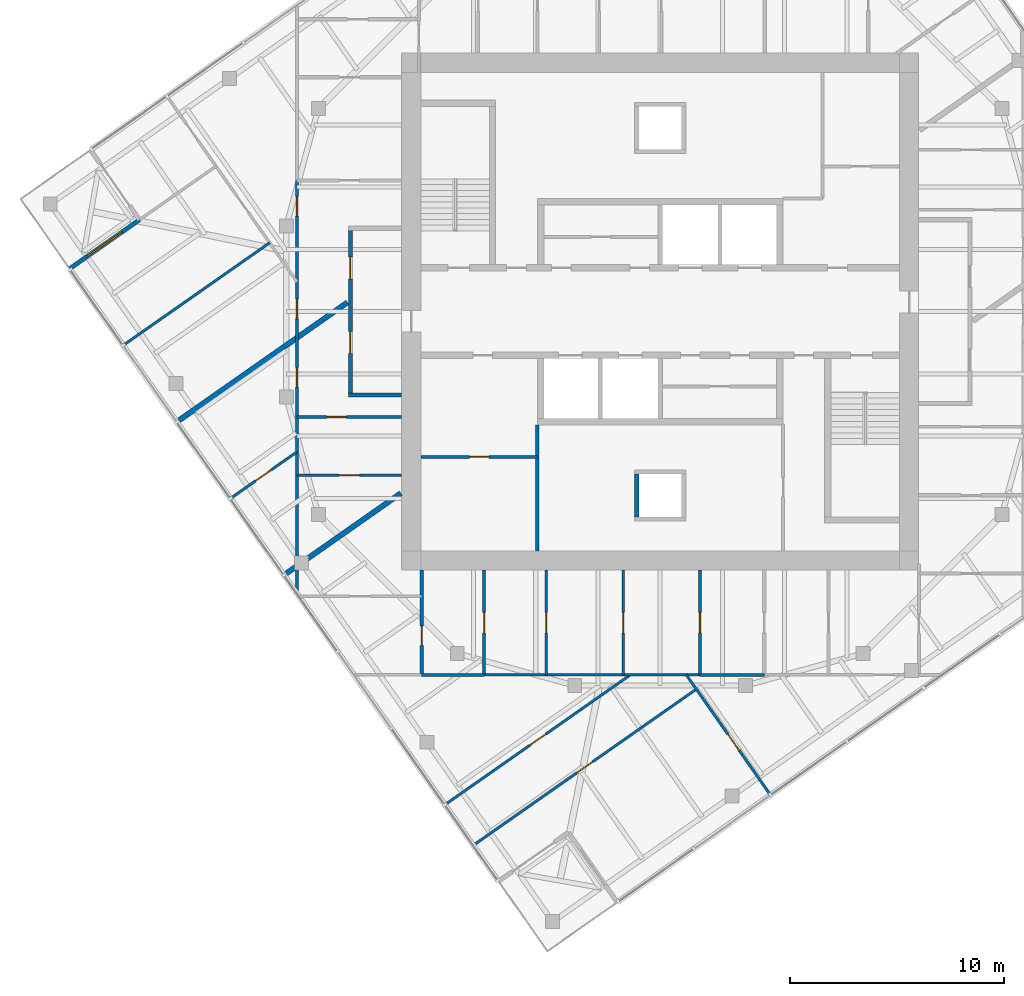
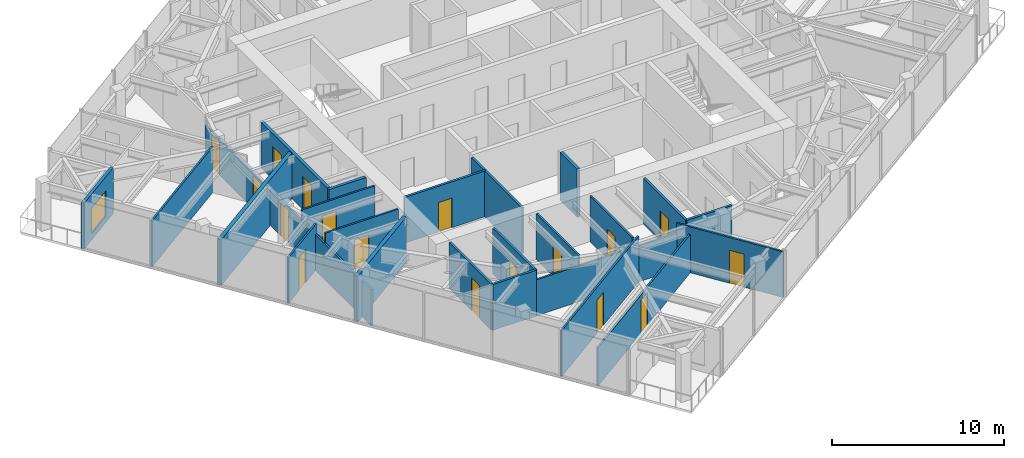
# One storey, part 7 of 12: 24 walls, 17 doors, 1 window, 18 openings.
"""IFC4 building model written with IfcOpenShell, lengths in metres."""

from ifc_helpers import new_model, si_unit, direction, frame, frame_2d, origin, place, context, subcontext, project, spatial, rectangle, extrude, material, layer, layer_set, type_object, element, fill, save


model = new_model("IFC4")

# Units and contexts
model_context = context("Model", 3, precision=1e-05, world=origin(), true_north=direction((0.0, 1.0)))
body_context = subcontext(model_context, "Body", "Model", "MODEL_VIEW")
ifc_project = project(units=[si_unit("LENGTHUNIT", "METRE"), si_unit("AREAUNIT", "SQUARE_METRE"), si_unit("VOLUMEUNIT", "CUBIC_METRE"), si_unit("PLANEANGLEUNIT", "RADIAN"), si_unit("MASSUNIT", "GRAM", prefix="KILO")], contexts=[model_context])

# Site, building, storey
site_placement = place(None, origin())
site = spatial("IfcSite", under=ifc_project, at=site_placement, CompositionType="ELEMENT")
building_placement = place(site_placement, origin())
building = spatial("IfcBuilding", under=site, at=building_placement, Name="Torsade Residences", CompositionType="ELEMENT")
storey_placement = place(building_placement, frame((0.0, 0.0, 243.800048828125)))
storey = spatial("IfcBuildingStorey", under=building, at=storey_placement, Name="L67", CompositionType="ELEMENT", Elevation=243.800048828125)

# Wall, openings, doors
ifc_material_1 = material(Name="Plasterboard on steel stud", Category="steel")
ifc_layer_1 = layer(ifc_material_1, 0.199951171875)
ifc_layer_set_1 = layer_set([ifc_layer_1], Name="Plasterboard on steel stud")
wall_type_1 = type_object("IfcWallType", Name="CORRIDOR WALL 200", PredefinedType="PARTITIONING", material=ifc_layer_set_1)
wall_1_placement = place(storey_placement, frame((25.5, 26.10009765625, 0.0), z_axis=(0.0, 0.0, 1.0), x_axis=(0.0, 1.0, 0.0)))
wall_1 = element("IfcWall", 1, at=wall_1_placement, inside=storey, type_object=wall_type_1, Name="Corridor wall L67", PredefinedType="PARTITIONING", context=body_context, shape_type="SweptSolid", body=[
    extrude(rectangle(XDim=7.7998046875, YDim=0.199951171875, at=frame_2d((3.89990234375, 0.0))), origin(), (0.0, 0.0, 1.0), 3.25),
])
opening_1_placement = place(wall_1_placement, frame((1.94189453125, 0.0, 0.0)))
opening_1 = element("IfcOpeningElement", 2, at=opening_1_placement, cuts=wall_1, Name="Opening D01", PredefinedType="OPENING", context=body_context, shape_type="SweptSolid", body=[
    extrude(rectangle(XDim=1.02001953125, YDim=2.340087890625, at=frame_2d((0.510009765625, 1.169921875))), frame((0.0, 0.10986328125, 0.0), z_axis=(0.0, -1.0, 0.0), x_axis=(1.0, 0.0, 0.0)), (0.0, 0.0, 1.0), 0.219970703125),
])
opening_2_placement = place(wall_1_placement, frame((5.436767578125, 0.0, 0.0)))
opening_2 = element("IfcOpeningElement", 3, at=opening_2_placement, cuts=wall_1, Name="Opening D01", PredefinedType="OPENING", context=body_context, shape_type="SweptSolid", body=[
    extrude(rectangle(XDim=1.02001953125, YDim=2.340087890625, at=frame_2d((0.510009765625, 1.169921875))), frame((0.0, 0.10986328125, 0.0), z_axis=(0.0, -1.0, 0.0), x_axis=(1.0, 0.0, 0.0)), (0.0, 0.0, 1.0), 0.219970703125),
])
ifc_material_2 = material(Name="Solid-core timber fire door", Category="wood")
door_type_1 = type_object("IfcDoorType", Name="APARTMENT ENTRY DOOR 1020x2340", OperationType="NOTDEFINED", PredefinedType="DOOR", material=ifc_material_2)
door_1_placement = place(opening_1_placement, origin())
door_1 = element("IfcDoor", 4, at=door_1_placement, inside=storey, type_object=door_type_1, Name="Door Residential corridor to Kitchen and dining", OperationType="SINGLE_SWING_RIGHT", OverallHeight=2.340087890625, OverallWidth=1.02001953125, PredefinedType="DOOR", context=body_context, shape_type="SweptSolid", body=[
    extrude(rectangle(XDim=1.02001953125, YDim=2.340087890625, at=frame_2d((0.510009765625, 1.169921875))), frame((0.0, 0.02490234375, 0.0), z_axis=(0.0, -1.0, 0.0), x_axis=(1.0, 0.0, 0.0)), (0.0, 0.0, 1.0), 0.050048828125),
])
fill(opening_1, door_1)
door_2_placement = place(opening_2_placement, origin())
door_2 = element("IfcDoor", 5, at=door_2_placement, inside=storey, type_object=door_type_1, Name="Door Residential corridor to Kitchen and dining", OperationType="SINGLE_SWING_LEFT", OverallHeight=2.340087890625, OverallWidth=1.02001953125, PredefinedType="DOOR", context=body_context, shape_type="SweptSolid", body=[
    extrude(rectangle(XDim=1.02001953125, YDim=2.340087890625, at=frame_2d((0.510009765625, 1.169921875))), frame((0.0, 0.02490234375, 0.0), z_axis=(0.0, -1.0, 0.0), x_axis=(1.0, 0.0, 0.0)), (0.0, 0.0, 1.0), 0.050048828125),
])
fill(opening_2, door_2)

# Wall
wall_2_placement = place(storey_placement, frame((27.89990234375, 26.10009765625, 0.0), z_axis=(0.0, 0.0, 1.0), x_axis=(-1.0, 0.0, 0.0)))
element("IfcWall", 6, at=wall_2_placement, inside=storey, type_object=wall_type_1, Name="Corridor wall L67", PredefinedType="PARTITIONING", context=body_context, shape_type="SweptSolid", body=[
    extrude(rectangle(XDim=2.5, YDim=0.199951171875, at=frame_2d((1.25, 0.0))), origin(), (0.0, 0.0, 1.0), 3.25),
])

# Wall, opening, door
ifc_material_3 = material(Name="Plasterboard on steel stud", Category="steel")
ifc_layer_2 = layer(ifc_material_3, 0.1201171875)
ifc_layer_set_2 = layer_set([ifc_layer_2], Name="Plasterboard on steel stud")
wall_type_2 = type_object("IfcWallType", Name="PARTITION 120", PredefinedType="PARTITIONING", material=ifc_layer_set_2)
wall_3_placement = place(storey_placement, frame((27.89990234375, 25.06787109375, 0.0), z_axis=(0.0, 0.0, 1.0), x_axis=(-1.0, 0.0, 0.0)))
wall_3 = element("IfcWall", 7, at=wall_3_placement, inside=storey, type_object=wall_type_2, Name="Partition L67", PredefinedType="PARTITIONING", context=body_context, shape_type="SweptSolid", body=[
    extrude(rectangle(XDim=4.89990234375, YDim=0.1201171875, at=frame_2d((2.449951171875, 0.0))), origin(), (0.0, 0.0, 1.0), 3.25),
])
opening_3_placement = place(wall_3_placement, frame((2.590087890625, 0.0, 0.0)))
opening_3 = element("IfcOpeningElement", 8, at=opening_3_placement, cuts=wall_3, Name="Opening D02", PredefinedType="OPENING", context=body_context, shape_type="SweptSolid", body=[
    extrude(rectangle(XDim=0.919921875, YDim=2.340087890625, at=frame_2d((0.4599609375, 1.169921875))), frame((0.0, 0.070068359375, 0.0), z_axis=(0.0, -1.0, 0.0), x_axis=(1.0, 0.0, 0.0)), (0.0, 0.0, 1.0), 0.14013671875),
])
ifc_material_4 = material(Name="Hollow-core timber door", Category="wood")
door_type_2 = type_object("IfcDoorType", Name="INTERNAL DOOR 920x2340", OperationType="NOTDEFINED", PredefinedType="DOOR", material=ifc_material_4)
door_3_placement = place(opening_3_placement, origin())
door_3 = element("IfcDoor", 9, at=door_3_placement, inside=storey, type_object=door_type_2, Name="Door Kitchen and dining to Dressing room", OperationType="SINGLE_SWING_RIGHT", OverallHeight=2.340087890625, OverallWidth=0.919921875, PredefinedType="DOOR", context=body_context, shape_type="SweptSolid", body=[
    extrude(rectangle(XDim=0.919921875, YDim=2.340087890625, at=frame_2d((0.4599609375, 1.169921875))), frame((0.0, 0.02490234375, 0.0), z_axis=(0.0, -1.0, 0.0), x_axis=(1.0, 0.0, 0.0)), (0.0, 0.0, 1.0), 0.050048828125),
])
fill(opening_3, door_3)

# Wall, openings, doors
wall_4_placement = place(storey_placement, frame((23.0, 16.8642578125, 0.0), z_axis=(0.0, 0.0, 1.0), x_axis=(0.0, 1.0, 0.0)))
wall_4 = element("IfcWall", 10, at=wall_4_placement, inside=storey, type_object=wall_type_2, Name="Partition L67", PredefinedType="PARTITIONING", context=body_context, shape_type="SweptSolid", body=[
    extrude(rectangle(XDim=19.2802734375, YDim=0.1201171875, at=frame_2d((9.64013671875, 0.0))), origin(), (0.0, 0.0, 1.0), 2.550048828125),
])
opening_4_placement = place(wall_4_placement, frame((9.598876953125, 0.0, 0.0)))
opening_4 = element("IfcOpeningElement", 11, at=opening_4_placement, cuts=wall_4, Name="Opening D02", PredefinedType="OPENING", context=body_context, shape_type="SweptSolid", body=[
    extrude(rectangle(XDim=0.919921875, YDim=2.340087890625, at=frame_2d((0.4599609375, 1.169921875))), frame((0.0, 0.070068359375, 0.0), z_axis=(0.0, -1.0, 0.0), x_axis=(1.0, 0.0, 0.0)), (0.0, 0.0, 1.0), 0.14013671875),
])
opening_5_placement = place(wall_4_placement, frame((17.6025390625, 0.0, 0.0)))
opening_5 = element("IfcOpeningElement", 12, at=opening_5_placement, cuts=wall_4, Name="Opening D02", PredefinedType="OPENING", context=body_context, shape_type="SweptSolid", body=[
    extrude(rectangle(XDim=0.919921875, YDim=2.340087890625, at=frame_2d((0.4599609375, 1.169921875))), frame((0.0, 0.070068359375, 0.0), z_axis=(0.0, -1.0, 0.0), x_axis=(1.0, 0.0, 0.0)), (0.0, 0.0, 1.0), 0.14013671875),
])
opening_6_placement = place(wall_4_placement, frame((12.806396484375, 0.0, 0.0)))
opening_6 = element("IfcOpeningElement", 13, at=opening_6_placement, cuts=wall_4, Name="Opening D02", PredefinedType="OPENING", context=body_context, shape_type="SweptSolid", body=[
    extrude(rectangle(XDim=0.919921875, YDim=2.340087890625, at=frame_2d((0.4599609375, 1.169921875))), frame((0.0, 0.070068359375, 0.0), z_axis=(0.0, -1.0, 0.0), x_axis=(1.0, 0.0, 0.0)), (0.0, 0.0, 1.0), 0.14013671875),
])
door_4_placement = place(opening_4_placement, origin())
door_4 = element("IfcDoor", 14, at=door_4_placement, inside=storey, type_object=door_type_2, Name="Door Kitchen and dining to Living room", OperationType="SINGLE_SWING_LEFT", OverallHeight=2.340087890625, OverallWidth=0.919921875, PredefinedType="DOOR", context=body_context, shape_type="SweptSolid", body=[
    extrude(rectangle(XDim=0.919921875, YDim=2.340087890625, at=frame_2d((0.4599609375, 1.169921875))), frame((0.0, 0.02490234375, 0.0), z_axis=(0.0, -1.0, 0.0), x_axis=(1.0, 0.0, 0.0)), (0.0, 0.0, 1.0), 0.050048828125),
])
fill(opening_4, door_4)
door_5_placement = place(opening_5_placement, origin())
door_5 = element("IfcDoor", 15, at=door_5_placement, inside=storey, type_object=door_type_2, Name="Door Kitchen and dining to Bedroom 1", OperationType="SINGLE_SWING_LEFT", OverallHeight=2.340087890625, OverallWidth=0.919921875, PredefinedType="DOOR", context=body_context, shape_type="SweptSolid", body=[
    extrude(rectangle(XDim=0.919921875, YDim=2.340087890625, at=frame_2d((0.4599609375, 1.169921875))), frame((0.0, 0.02490234375, 0.0), z_axis=(0.0, -1.0, 0.0), x_axis=(1.0, 0.0, 0.0)), (0.0, 0.0, 1.0), 0.050048828125),
])
fill(opening_5, door_5)
door_6_placement = place(opening_6_placement, origin())
door_6 = element("IfcDoor", 16, at=door_6_placement, inside=storey, type_object=door_type_2, Name="Door Kitchen and dining to Bedroom 3", OperationType="SINGLE_SWING_LEFT", OverallHeight=2.340087890625, OverallWidth=0.919921875, PredefinedType="DOOR", context=body_context, shape_type="SweptSolid", body=[
    extrude(rectangle(XDim=0.919921875, YDim=2.340087890625, at=frame_2d((0.4599609375, 1.169921875))), frame((0.0, 0.02490234375, 0.0), z_axis=(0.0, -1.0, 0.0), x_axis=(1.0, 0.0, 0.0)), (0.0, 0.0, 1.0), 0.050048828125),
])
fill(opening_6, door_6)

# Wall, opening, door
wall_5_placement = place(storey_placement, frame((23.0, 22.3466796875, 0.0), z_axis=(0.0, 0.0, 1.0), x_axis=(1.0, 0.0, 0.0)))
wall_5 = element("IfcWall", 17, at=wall_5_placement, inside=storey, type_object=wall_type_2, Name="Partition L67", PredefinedType="PARTITIONING", context=body_context, shape_type="SweptSolid", body=[
    extrude(rectangle(XDim=4.89990234375, YDim=0.1201171875, at=frame_2d((2.449951171875, 0.0))), origin(), (0.0, 0.0, 1.0), 3.25),
])
opening_7_placement = place(wall_5_placement, frame((1.969970703125, 0.0, 0.0)))
opening_7 = element("IfcOpeningElement", 18, at=opening_7_placement, cuts=wall_5, Name="Opening D05", PredefinedType="OPENING", context=body_context, shape_type="SweptSolid", body=[
    extrude(rectangle(XDim=0.9599609375, YDim=2.10009765625, at=frame_2d((0.47998046875, 1.050048828125))), frame((0.0, 0.070068359375, 0.0), z_axis=(0.0, -1.0, 0.0), x_axis=(1.0, 0.0, 0.0)), (0.0, 0.0, 1.0), 0.14013671875),
])
ifc_material_5 = material(Name="Hollow-core timber door in a steel cavity frame", Category="steel")
door_type_3 = type_object("IfcDoorType", Name="BATHROOM CAVITY SLIDING DOOR 960", OperationType="SLIDING_TO_LEFT", PredefinedType="DOOR", material=ifc_material_5)
door_7_placement = place(opening_7_placement, origin())
door_7 = element("IfcDoor", 19, at=door_7_placement, inside=storey, type_object=door_type_3, Name="Door Dressing room to Bathroom", OperationType="SLIDING_TO_LEFT", OverallHeight=2.10009765625, OverallWidth=0.9599609375, PredefinedType="DOOR", context=body_context, shape_type="SweptSolid", body=[
    extrude(rectangle(XDim=0.9599609375, YDim=2.10009765625, at=frame_2d((0.47998046875, 1.050048828125))), frame((0.0, 0.02490234375, 0.0), z_axis=(0.0, -1.0, 0.0), x_axis=(1.0, 0.0, 0.0)), (0.0, 0.0, 1.0), 0.050048828125),
])
fill(opening_7, door_7)

wall_6_placement = place(storey_placement, frame((23.0, 23.4375, 0.0), z_axis=(0.0, 0.0, 1.0), x_axis=(-0.819140645834, -0.573592714688, 0.0)))
wall_6 = element("IfcWall", 20, at=wall_6_placement, inside=storey, type_object=wall_type_2, Name="Partition L67", PredefinedType="PARTITIONING", context=body_context, shape_type="SweptSolid", body=[
    extrude(rectangle(XDim=3.770263671875, YDim=0.1201171875, at=frame_2d((1.88525390625, 0.0))), origin(), (0.0, 0.0, 1.0), 3.25),
])
opening_8_placement = place(wall_6_placement, frame((1.445068359375, 0.0, 0.0)))
opening_8 = element("IfcOpeningElement", 21, at=opening_8_placement, cuts=wall_6, Name="Opening D02", PredefinedType="OPENING", context=body_context, shape_type="SweptSolid", body=[
    extrude(rectangle(XDim=0.919921875, YDim=2.340087890625, at=frame_2d((0.4599609375, 1.169921875))), frame((0.0, 0.070068359375, 0.0), z_axis=(0.0, -1.0, 0.0), x_axis=(1.0, 0.0, 0.0)), (0.0, 0.0, 1.0), 0.14013671875),
])
door_8_placement = place(opening_8_placement, origin())
door_8 = element("IfcDoor", 22, at=door_8_placement, inside=storey, type_object=door_type_2, Name="Door Living room to Bedroom 1", OperationType="SINGLE_SWING_LEFT", OverallHeight=2.340087890625, OverallWidth=0.919921875, PredefinedType="DOOR", context=body_context, shape_type="SweptSolid", body=[
    extrude(rectangle(XDim=0.919921875, YDim=2.340087890625, at=frame_2d((0.4599609375, 1.169921875))), frame((0.0, 0.02490234375, 0.0), z_axis=(0.0, -1.0, 0.0), x_axis=(1.0, 0.0, 0.0)), (0.0, 0.0, 1.0), 0.050048828125),
])
fill(opening_8, door_8)

wall_7_placement = place(storey_placement, frame((34.671875, 17.89990234375, 0.0), z_axis=(0.0, 0.0, 1.0), x_axis=(0.0, -1.0, 0.0)))
wall_7 = element("IfcWall", 23, at=wall_7_placement, inside=storey, type_object=wall_type_2, Name="Partition L67", PredefinedType="PARTITIONING", context=body_context, shape_type="SweptSolid", body=[
    extrude(rectangle(XDim=4.89990234375, YDim=0.1201171875, at=frame_2d((2.449951171875, 0.0))), origin(), (0.0, 0.0, 1.0), 3.25),
])
opening_9_placement = place(wall_7_placement, frame((1.969970703125, 0.0, 0.0)))
opening_9 = element("IfcOpeningElement", 24, at=opening_9_placement, cuts=wall_7, Name="Opening D05", PredefinedType="OPENING", context=body_context, shape_type="SweptSolid", body=[
    extrude(rectangle(XDim=0.9599609375, YDim=2.10009765625, at=frame_2d((0.47998046875, 1.050048828125))), frame((0.0, 0.070068359375, 0.0), z_axis=(0.0, -1.0, 0.0), x_axis=(1.0, 0.0, 0.0)), (0.0, 0.0, 1.0), 0.14013671875),
])
door_9_placement = place(opening_9_placement, origin())
door_9 = element("IfcDoor", 25, at=door_9_placement, inside=storey, type_object=door_type_3, Name="Door Dressing room 2 to WC", OperationType="SLIDING_TO_LEFT", OverallHeight=2.10009765625, OverallWidth=0.9599609375, PredefinedType="DOOR", context=body_context, shape_type="SweptSolid", body=[
    extrude(rectangle(XDim=0.9599609375, YDim=2.10009765625, at=frame_2d((0.47998046875, 1.050048828125))), frame((0.0, 0.02490234375, 0.0), z_axis=(0.0, -1.0, 0.0), x_axis=(1.0, 0.0, 0.0)), (0.0, 0.0, 1.0), 0.050048828125),
])
fill(opening_9, door_9)

# Wall
wall_8_placement = place(storey_placement, frame((41.864501953125, 13.0, 0.0), z_axis=(0.0, 0.0, 1.0), x_axis=(-1.0, 0.0, 0.0)))
element("IfcWall", 26, at=wall_8_placement, inside=storey, type_object=wall_type_2, Name="Partition L67", PredefinedType="PARTITIONING", context=body_context, shape_type="SweptSolid", body=[
    extrude(rectangle(XDim=10.10986328125, YDim=0.1201171875, at=frame_2d((5.054931640625, 0.0))), origin(), (0.0, 0.0, 1.0), 2.550048828125),
])

# Wall, opening, door
wall_9_placement = place(storey_placement, frame((38.268310546875, 13.0, 0.0), z_axis=(0.0, 0.0, 1.0), x_axis=(0.0, 1.0, 0.0)))
wall_9 = element("IfcWall", 27, at=wall_9_placement, inside=storey, type_object=wall_type_2, Name="Partition L67", PredefinedType="PARTITIONING", context=body_context, shape_type="SweptSolid", body=[
    extrude(rectangle(XDim=4.89990234375, YDim=0.1201171875, at=frame_2d((2.449951171875, 0.0))), origin(), (0.0, 0.0, 1.0), 3.25),
])
opening_10_placement = place(wall_9_placement, frame((1.969970703125, 0.0, 0.0)))
opening_10 = element("IfcOpeningElement", 28, at=opening_10_placement, cuts=wall_9, Name="Opening D05", PredefinedType="OPENING", context=body_context, shape_type="SweptSolid", body=[
    extrude(rectangle(XDim=0.9599609375, YDim=2.10009765625, at=frame_2d((0.47998046875, 1.050048828125))), frame((0.0, 0.070068359375, 0.0), z_axis=(0.0, -1.0, 0.0), x_axis=(1.0, 0.0, 0.0)), (0.0, 0.0, 1.0), 0.14013671875),
])
door_10_placement = place(opening_10_placement, origin())
door_10 = element("IfcDoor", 29, at=door_10_placement, inside=storey, type_object=door_type_3, Name="Door Ensuite to Dressing room 2", OperationType="SLIDING_TO_LEFT", OverallHeight=2.10009765625, OverallWidth=0.9599609375, PredefinedType="DOOR", context=body_context, shape_type="SweptSolid", body=[
    extrude(rectangle(XDim=0.9599609375, YDim=2.10009765625, at=frame_2d((0.47998046875, 1.050048828125))), frame((0.0, 0.02490234375, 0.0), z_axis=(0.0, -1.0, 0.0), x_axis=(1.0, 0.0, 0.0)), (0.0, 0.0, 1.0), 0.050048828125),
])
fill(opening_10, door_10)

wall_10_placement = place(storey_placement, frame((31.279296875, 5.0400390625, 0.0), z_axis=(0.0, 0.0, 1.0), x_axis=(0.819155207289, 0.573571919092, 0.0)))
wall_10 = element("IfcWall", 30, at=wall_10_placement, inside=storey, type_object=wall_type_2, Name="Partition L67", PredefinedType="PARTITIONING", context=body_context, shape_type="SweptSolid", body=[
    extrude(rectangle(XDim=12.7099609375, YDim=0.1201171875, at=frame_2d((6.35498046875, 0.0))), origin(), (0.0, 0.0, 1.0), 2.717041015625),
])
opening_11_placement = place(wall_10_placement, frame((5.875, 0.0, 0.0)))
opening_11 = element("IfcOpeningElement", 31, at=opening_11_placement, cuts=wall_10, Name="Opening D02", PredefinedType="OPENING", context=body_context, shape_type="SweptSolid", body=[
    extrude(rectangle(XDim=0.919921875, YDim=2.340087890625, at=frame_2d((0.4599609375, 1.169921875))), frame((0.0, 0.070068359375, 0.0), z_axis=(0.0, -1.0, 0.0), x_axis=(1.0, 0.0, 0.0)), (0.0, 0.0, 1.0), 0.14013671875),
])
door_11_placement = place(opening_11_placement, origin())
door_11 = element("IfcDoor", 32, at=door_11_placement, inside=storey, type_object=door_type_2, Name="Door Living room to Family room", OperationType="SINGLE_SWING_RIGHT", OverallHeight=2.340087890625, OverallWidth=0.919921875, PredefinedType="DOOR", context=body_context, shape_type="SweptSolid", body=[
    extrude(rectangle(XDim=0.919921875, YDim=2.340087890625, at=frame_2d((0.4599609375, 1.169921875))), frame((0.0, 0.02490234375, 0.0), z_axis=(0.0, -1.0, 0.0), x_axis=(1.0, 0.0, 0.0)), (0.0, 0.0, 1.0), 0.050048828125),
])
fill(opening_11, door_11)

wall_11_placement = place(storey_placement, frame((41.2216796875, 13.0, 0.0), z_axis=(0.0, 0.0, 1.0), x_axis=(0.57357503053, -0.819153028653, 0.0)))
wall_11 = element("IfcWall", 33, at=wall_11_placement, inside=storey, type_object=wall_type_2, Name="Partition L67", PredefinedType="PARTITIONING", context=body_context, shape_type="SweptSolid", body=[
    extrude(rectangle(XDim=6.833740234375, YDim=0.1201171875, at=frame_2d((3.4169921875, 0.0))), origin(), (0.0, 0.0, 1.0), 3.25),
])
opening_12_placement = place(wall_11_placement, frame((3.3857421875, 0.0, 0.0)))
opening_12 = element("IfcOpeningElement", 34, at=opening_12_placement, cuts=wall_11, Name="Opening D02", PredefinedType="OPENING", context=body_context, shape_type="SweptSolid", body=[
    extrude(rectangle(XDim=0.919921875, YDim=2.340087890625, at=frame_2d((0.4599609375, 1.169921875))), frame((0.0, 0.070068359375, 0.0), z_axis=(0.0, -1.0, 0.0), x_axis=(1.0, 0.0, 0.0)), (0.0, 0.0, 1.0), 0.14013671875),
])
door_12_placement = place(opening_12_placement, origin())
door_12 = element("IfcDoor", 35, at=door_12_placement, inside=storey, type_object=door_type_2, Name="Door Study 2 to Living room", OperationType="SINGLE_SWING_LEFT", OverallHeight=2.340087890625, OverallWidth=0.919921875, PredefinedType="DOOR", context=body_context, shape_type="SweptSolid", body=[
    extrude(rectangle(XDim=0.919921875, YDim=2.340087890625, at=frame_2d((0.4599609375, 1.169921875))), frame((0.0, 0.02490234375, 0.0), z_axis=(0.0, -1.0, 0.0), x_axis=(1.0, 0.0, 0.0)), (0.0, 0.0, 1.0), 0.050048828125),
])
fill(opening_12, door_12)

wall_12_placement = place(storey_placement, frame((38.604248046875, 13.0, 0.0), z_axis=(0.0, 0.0, 1.0), x_axis=(-0.819123352089, -0.573617410878, 0.0)))
wall_12 = element("IfcWall", 36, at=wall_12_placement, inside=storey, type_object=wall_type_2, Name="Partition L67", PredefinedType="PARTITIONING", context=body_context, shape_type="SweptSolid", body=[
    extrude(rectangle(XDim=10.56591796875, YDim=0.1201171875, at=frame_2d((5.282958984375, 0.0))), origin(), (0.0, 0.0, 1.0), 3.25),
])
opening_13_placement = place(wall_12_placement, frame((4.830810546875, 0.0, 0.0)))
opening_13 = element("IfcOpeningElement", 37, at=opening_13_placement, cuts=wall_12, Name="Opening D02", PredefinedType="OPENING", context=body_context, shape_type="SweptSolid", body=[
    extrude(rectangle(XDim=0.919921875, YDim=2.340087890625, at=frame_2d((0.4599609375, 1.169921875))), frame((0.0, 0.070068359375, 0.0), z_axis=(0.0, -1.0, 0.0), x_axis=(1.0, 0.0, 0.0)), (0.0, 0.0, 1.0), 0.14013671875),
])
door_13_placement = place(opening_13_placement, origin())
door_13 = element("IfcDoor", 38, at=door_13_placement, inside=storey, type_object=door_type_2, Name="Door Family room to Bedroom 2", OperationType="SINGLE_SWING_RIGHT", OverallHeight=2.340087890625, OverallWidth=0.919921875, PredefinedType="DOOR", context=body_context, shape_type="SweptSolid", body=[
    extrude(rectangle(XDim=0.919921875, YDim=2.340087890625, at=frame_2d((0.4599609375, 1.169921875))), frame((0.0, 0.02490234375, 0.0), z_axis=(0.0, -1.0, 0.0), x_axis=(1.0, 0.0, 0.0)), (0.0, 0.0, 1.0), 0.050048828125),
])
fill(opening_13, door_13)

# Walls
wall_13_placement = place(storey_placement, frame((21.720458984375, 33.22314453125, 0.0), z_axis=(0.0, 0.0, 1.0), x_axis=(-0.819152099525, -0.573576357466, 0.0)))
element("IfcWall", 39, at=wall_13_placement, inside=storey, type_object=wall_type_2, Name="Partition L67", PredefinedType="PARTITIONING", context=body_context, shape_type="SweptSolid", body=[
    extrude(rectangle(XDim=8.3349609375, YDim=0.1201171875, at=frame_2d((4.16748046875, 0.0))), origin(), (0.0, 0.0, 1.0), 3.25),
])
ifc_material_6 = material(Name="Masonry-lined stud party wall", Category="masonry")
ifc_layer_3 = layer(ifc_material_6, 0.25)
ifc_layer_set_3 = layer_set([ifc_layer_3], Name="Masonry-lined stud party wall")
wall_type_3 = type_object("IfcWallType", Name="PARTY WALL 250", PredefinedType="PARTITIONING", material=ifc_layer_set_3)
wall_14_placement = place(storey_placement, frame((22.38818359375, 17.668212890625, 0.0), z_axis=(0.0, 0.0, 1.0), x_axis=(0.819161528122, 0.573562891796, 0.0)))
element("IfcWall", 40, at=wall_14_placement, inside=storey, type_object=wall_type_3, Name="Party wall L67", PredefinedType="PARTITIONING", context=body_context, shape_type="SweptSolid", body=[
    extrude(rectangle(XDim=6.68115234375, YDim=0.25, at=frame_2d((3.340576171875, 0.0))), origin(), (0.0, 0.0, 1.0), 3.25),
])
wall_15_placement = place(storey_placement, frame((17.369384765625, 24.835693359375, 0.0), z_axis=(0.0, 0.0, 1.0), x_axis=(0.81915902312, 0.573566469418, 0.0)))
element("IfcWall", 41, at=wall_15_placement, inside=storey, type_object=wall_type_3, Name="Party wall L67", PredefinedType="PARTITIONING", context=body_context, shape_type="SweptSolid", body=[
    extrude(rectangle(XDim=9.755859375, YDim=0.25, at=frame_2d((4.8779296875, 0.0))), origin(), (0.0, 0.0, 1.0), 3.25),
])
ifc_material_7 = material(Name="Reinforced blockwork", Category="masonry")
ifc_layer_4 = layer(ifc_material_7, 0.199951171875)
ifc_layer_set_4 = layer_set([ifc_layer_4], Name="Reinforced blockwork")
wall_type_4 = type_object("IfcWallType", Name="RISER SHAFT WALL 200", PredefinedType="SOLIDWALL", material=ifc_layer_set_4)
wall_16_placement = place(storey_placement, frame((38.89990234375, 22.39990234375, 0.0), z_axis=(0.0, 0.0, 1.0), x_axis=(0.0, -1.0, 0.0)))
element("IfcWall", 42, at=wall_16_placement, inside=storey, type_object=wall_type_4, Name="Core wall RS2a L67", PredefinedType="SOLIDWALL", context=body_context, shape_type="SweptSolid", body=[
    extrude(rectangle(XDim=2.0, YDim=0.199951171875, at=frame_2d((1.0, 0.0))), origin(), (0.0, 0.0, 1.0), 3.39990234375),
])
ifc_material_8 = material(Name="Reinforced blockwork", Category="masonry")
ifc_layer_5 = layer(ifc_material_8, 0.14990234375)
ifc_layer_set_5 = layer_set([ifc_layer_5], Name="Reinforced blockwork")
wall_type_5 = type_object("IfcWallType", Name="SERVICE ROOM WALL 150", PredefinedType="SOLIDWALL", material=ifc_layer_set_5)
wall_17_placement = place(storey_placement, frame((34.25, 18.800048828125, 0.0), z_axis=(0.0, 0.0, 1.0), x_axis=(0.0, 1.0, 0.0)))
element("IfcWall", 43, at=wall_17_placement, inside=storey, type_object=wall_type_5, Name="Service room wall L67", PredefinedType="SOLIDWALL", context=body_context, shape_type="SweptSolid", body=[
    extrude(rectangle(XDim=5.89990234375, YDim=0.14990234375, at=frame_2d((2.949951171875, 0.0))), origin(), (0.0, 0.0, 1.0), 3.25),
])

# Wall, opening, door
wall_18_placement = place(storey_placement, frame((34.25, 23.199951171875, 0.0), z_axis=(0.0, 0.0, 1.0), x_axis=(-1.0, 0.0, 0.0)))
wall_18 = element("IfcWall", 44, at=wall_18_placement, inside=storey, type_object=wall_type_5, Name="Service room wall L67", PredefinedType="SOLIDWALL", context=body_context, shape_type="SweptSolid", body=[
    extrude(rectangle(XDim=5.449951171875, YDim=0.14990234375, at=frame_2d((2.72509765625, 0.0))), origin(), (0.0, 0.0, 1.0), 3.25),
])
opening_14_placement = place(wall_18_placement, frame((2.264892578125, 0.0, 0.0)))
opening_14 = element("IfcOpeningElement", 45, at=opening_14_placement, cuts=wall_18, Name="Opening D06", PredefinedType="OPENING", context=body_context, shape_type="SweptSolid", body=[
    extrude(rectangle(XDim=0.919921875, YDim=2.10009765625, at=frame_2d((0.4599609375, 1.050048828125))), frame((0.0, 0.0849609375, 0.0), z_axis=(0.0, -1.0, 0.0), x_axis=(1.0, 0.0, 0.0)), (0.0, 0.0, 1.0), 0.169921875),
])
ifc_material_9 = material(Name="Steel-framed fire door", Category="steel")
door_type_4 = type_object("IfcDoorType", Name="FIRE DOOR 920", OperationType="NOTDEFINED", PredefinedType="DOOR", material=ifc_material_9)
door_14_placement = place(opening_14_placement, origin())
door_14 = element("IfcDoor", 46, at=door_14_placement, inside=storey, type_object=door_type_4, Name="Door Cleaner store to Hose reel and hydrant store", OperationType="SINGLE_SWING_LEFT", OverallHeight=2.10009765625, OverallWidth=0.919921875, PredefinedType="DOOR", context=body_context, shape_type="SweptSolid", body=[
    extrude(rectangle(XDim=0.919921875, YDim=2.10009765625, at=frame_2d((0.4599609375, 1.050048828125))), frame((0.0, 0.02490234375, 0.0), z_axis=(0.0, -1.0, 0.0), x_axis=(1.0, 0.0, 0.0)), (0.0, 0.0, 1.0), 0.050048828125),
])
fill(opening_14, door_14)

wall_19_placement = place(storey_placement, frame((28.83740234375, 17.89990234375, 0.0), z_axis=(0.0, 0.0, 1.0), x_axis=(0.0, -1.0, 0.0)))
wall_19 = element("IfcWall", 47, at=wall_19_placement, inside=storey, type_object=wall_type_5, Name="Service room wall L67", PredefinedType="SOLIDWALL", context=body_context, shape_type="SweptSolid", body=[
    extrude(rectangle(XDim=4.89990234375, YDim=0.14990234375, at=frame_2d((2.449951171875, 0.0))), origin(), (0.0, 0.0, 1.0), 3.25),
])
opening_15_placement = place(wall_19_placement, frame((2.603271484375, 0.0, 0.0)))
opening_15 = element("IfcOpeningElement", 48, at=opening_15_placement, cuts=wall_19, Name="Opening D02", PredefinedType="OPENING", context=body_context, shape_type="SweptSolid", body=[
    extrude(rectangle(XDim=0.919921875, YDim=2.340087890625, at=frame_2d((0.4599609375, 1.169921875))), frame((0.0, 0.0849609375, 0.0), z_axis=(0.0, -1.0, 0.0), x_axis=(1.0, 0.0, 0.0)), (0.0, 0.0, 1.0), 0.169921875),
])
door_15_placement = place(opening_15_placement, origin())
door_15 = element("IfcDoor", 49, at=door_15_placement, inside=storey, type_object=door_type_2, Name="Door Linen store to Dressing room", OperationType="SINGLE_SWING_RIGHT", OverallHeight=2.340087890625, OverallWidth=0.919921875, PredefinedType="DOOR", context=body_context, shape_type="SweptSolid", body=[
    extrude(rectangle(XDim=0.919921875, YDim=2.340087890625, at=frame_2d((0.4599609375, 1.169921875))), frame((0.0, 0.02490234375, 0.0), z_axis=(0.0, -1.0, 0.0), x_axis=(1.0, 0.0, 0.0)), (0.0, 0.0, 1.0), 0.050048828125),
])
fill(opening_15, door_15)

wall_20_placement = place(storey_placement, frame((31.754638671875, 13.0, 0.0), z_axis=(0.0, 0.0, 1.0), x_axis=(0.0, 1.0, 0.0)))
wall_20 = element("IfcWall", 50, at=wall_20_placement, inside=storey, type_object=wall_type_5, Name="Service room wall L67", PredefinedType="SOLIDWALL", context=body_context, shape_type="SweptSolid", body=[
    extrude(rectangle(XDim=4.89990234375, YDim=0.14990234375, at=frame_2d((2.449951171875, 0.0))), origin(), (0.0, 0.0, 1.0), 3.25),
])
opening_16_placement = place(wall_20_placement, frame((1.969970703125, 0.0, 0.0)))
opening_16 = element("IfcOpeningElement", 51, at=opening_16_placement, cuts=wall_20, Name="Opening D05", PredefinedType="OPENING", context=body_context, shape_type="SweptSolid", body=[
    extrude(rectangle(XDim=0.9599609375, YDim=2.10009765625, at=frame_2d((0.47998046875, 1.050048828125))), frame((0.0, 0.0849609375, 0.0), z_axis=(0.0, -1.0, 0.0), x_axis=(1.0, 0.0, 0.0)), (0.0, 0.0, 1.0), 0.169921875),
])
door_16_placement = place(opening_16_placement, origin())
door_16 = element("IfcDoor", 52, at=door_16_placement, inside=storey, type_object=door_type_3, Name="Door WC to Linen store", OperationType="SLIDING_TO_LEFT", OverallHeight=2.10009765625, OverallWidth=0.9599609375, PredefinedType="DOOR", context=body_context, shape_type="SweptSolid", body=[
    extrude(rectangle(XDim=0.9599609375, YDim=2.10009765625, at=frame_2d((0.47998046875, 1.050048828125))), frame((0.0, 0.02490234375, 0.0), z_axis=(0.0, -1.0, 0.0), x_axis=(1.0, 0.0, 0.0)), (0.0, 0.0, 1.0), 0.050048828125),
])
fill(opening_16, door_16)

# Wall
wall_21_placement = place(storey_placement, frame((31.754638671875, 13.0, 0.0), z_axis=(0.0, 0.0, 1.0), x_axis=(-1.0, 0.0, 0.0)))
element("IfcWall", 53, at=wall_21_placement, inside=storey, type_object=wall_type_5, Name="Service room wall L67", PredefinedType="SOLIDWALL", context=body_context, shape_type="SweptSolid", body=[
    extrude(rectangle(XDim=2.917236328125, YDim=0.14990234375, at=frame_2d((1.45849609375, 0.0))), origin(), (0.0, 0.0, 1.0), 3.25),
])

# Wall, opening, door
wall_22_placement = place(storey_placement, frame((41.864501953125, 17.89990234375, 0.0), z_axis=(0.0, 0.0, 1.0), x_axis=(0.0, -1.0, 0.0)))
wall_22 = element("IfcWall", 54, at=wall_22_placement, inside=storey, type_object=wall_type_5, Name="Service room wall L67", PredefinedType="SOLIDWALL", context=body_context, shape_type="SweptSolid", body=[
    extrude(rectangle(XDim=4.89990234375, YDim=0.14990234375, at=frame_2d((2.449951171875, 0.0))), origin(), (0.0, 0.0, 1.0), 3.25),
])
opening_17_placement = place(wall_22_placement, frame((1.969970703125, 0.0, 0.0)))
opening_17 = element("IfcOpeningElement", 55, at=opening_17_placement, cuts=wall_22, Name="Opening D05", PredefinedType="OPENING", context=body_context, shape_type="SweptSolid", body=[
    extrude(rectangle(XDim=0.9599609375, YDim=2.10009765625, at=frame_2d((0.47998046875, 1.050048828125))), frame((0.0, 0.0849609375, 0.0), z_axis=(0.0, -1.0, 0.0), x_axis=(1.0, 0.0, 0.0)), (0.0, 0.0, 1.0), 0.169921875),
])
door_17_placement = place(opening_17_placement, origin())
door_17 = element("IfcDoor", 56, at=door_17_placement, inside=storey, type_object=door_type_3, Name="Door Linen store 2 to Ensuite", OperationType="SLIDING_TO_LEFT", OverallHeight=2.10009765625, OverallWidth=0.9599609375, PredefinedType="DOOR", context=body_context, shape_type="SweptSolid", body=[
    extrude(rectangle(XDim=0.9599609375, YDim=2.10009765625, at=frame_2d((0.47998046875, 1.050048828125))), frame((0.0, 0.02490234375, 0.0), z_axis=(0.0, -1.0, 0.0), x_axis=(1.0, 0.0, 0.0)), (0.0, 0.0, 1.0), 0.050048828125),
])
fill(opening_17, door_17)

# Wall
wall_23_placement = place(storey_placement, frame((44.871337890625, 13.0, 0.0), z_axis=(0.0, 0.0, 1.0), x_axis=(-1.0, 0.0, 0.0)))
element("IfcWall", 57, at=wall_23_placement, inside=storey, type_object=wall_type_5, Name="Service room wall L67", PredefinedType="SOLIDWALL", context=body_context, shape_type="SweptSolid", body=[
    extrude(rectangle(XDim=3.0068359375, YDim=0.14990234375, at=frame_2d((1.50341796875, 0.0))), origin(), (0.0, 0.0, 1.0), 3.25),
])

# Wall, opening, window
ifc_material_10 = material(Name="Stone-faced precast concrete 40 MPa panel", Category="masonry")
ifc_layer_6 = layer(ifc_material_10, 0.199951171875)
ifc_layer_set_6 = layer_set([ifc_layer_6], Name="Stone-faced precast concrete 40 MPa panel")
wall_type_6 = type_object("IfcWallType", Name="TERRACE WALL 200", PredefinedType="SOLIDWALL", material=ifc_layer_set_6)
wall_24_placement = place(storey_placement, frame((15.627197265625, 34.297607421875, 0.0), z_axis=(0.0, 0.0, 1.0), x_axis=(-0.819137286189, -0.573597512525, 0.0)))
wall_24 = element("IfcWall", 58, at=wall_24_placement, inside=storey, type_object=wall_type_6, Name="Terrace wall L67 9", PredefinedType="SOLIDWALL", context=body_context, shape_type="SweptSolid", body=[
    extrude(rectangle(XDim=4.0, YDim=0.199951171875, at=frame_2d((2.0, 0.0))), origin(), (0.0, 0.0, 1.0), 3.25),
])
opening_18_placement = place(wall_24_placement, frame((1.0, 0.0, 0.449951171875)))
opening_18 = element("IfcOpeningElement", 59, at=opening_18_placement, cuts=wall_24, Name="Opening W1B", PredefinedType="OPENING", context=body_context, shape_type="SweptSolid", body=[
    extrude(rectangle(XDim=2.0, YDim=1.800048828125, at=frame_2d((1.0, 0.89990234375))), frame((0.0, 0.10986328125, 0.0), z_axis=(0.0, -1.0, 0.0), x_axis=(1.0, 0.0, 0.0)), (0.0, 0.0, 1.0), 0.219970703125),
])
ifc_material_11 = material(Name="Aluminium-framed glass window", Category="aluminium")
window_type = type_object("IfcWindowType", Name="TERRACE WINDOW 2000x1800", PartitioningType="SINGLE_PANEL", PredefinedType="WINDOW", material=ifc_material_11)
window_placement = place(opening_18_placement, origin())
window = element("IfcWindow", 60, at=window_placement, inside=storey, type_object=window_type, Name="Terrace window L67 9", OverallHeight=1.800048828125, OverallWidth=2.0, PartitioningType="SINGLE_PANEL", PredefinedType="WINDOW", context=body_context, shape_type="SweptSolid", body=[
    extrude(rectangle(XDim=2.0, YDim=1.800048828125, at=frame_2d((1.0, 0.89990234375))), frame((0.0, 0.030029296875, 0.0), z_axis=(0.0, -1.0, 0.0), x_axis=(1.0, 0.0, 0.0)), (0.0, 0.0, 1.0), 0.06005859375),
])
fill(opening_18, window)

save(model, "model.ifc")
